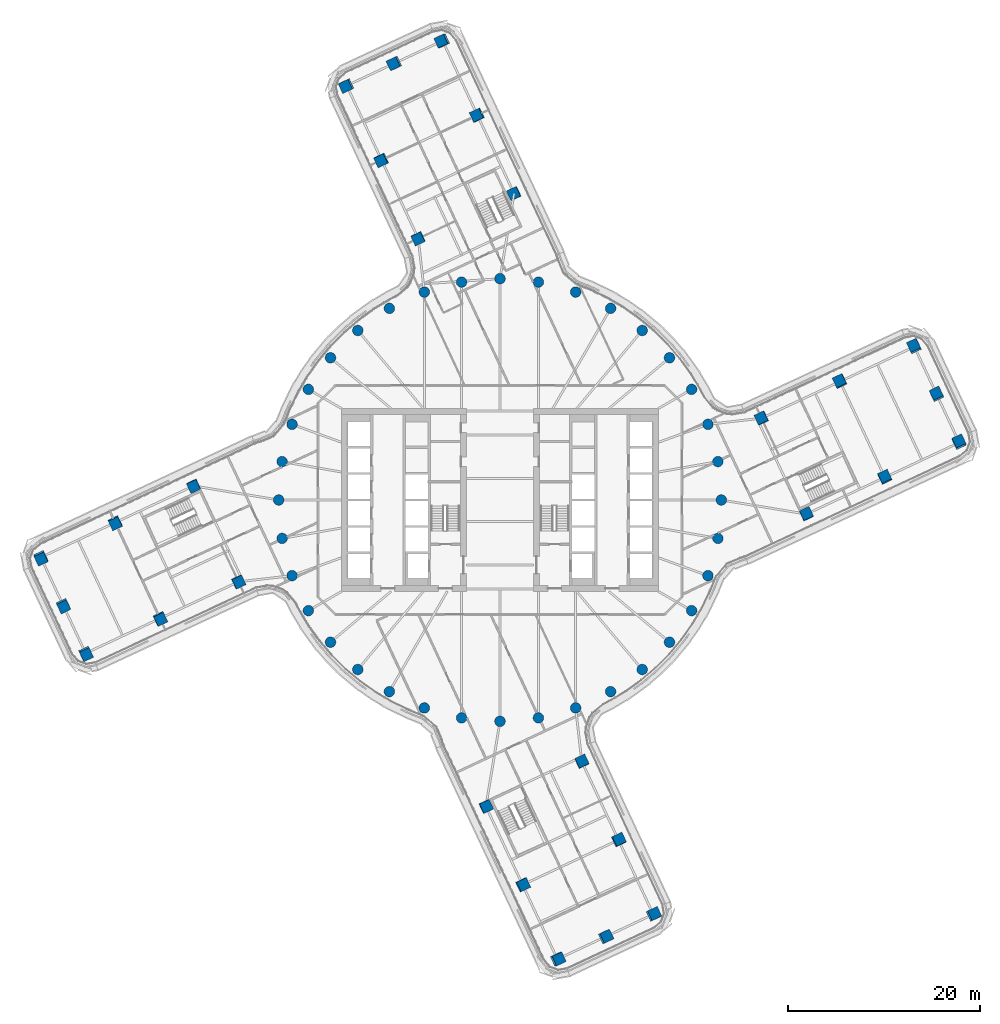
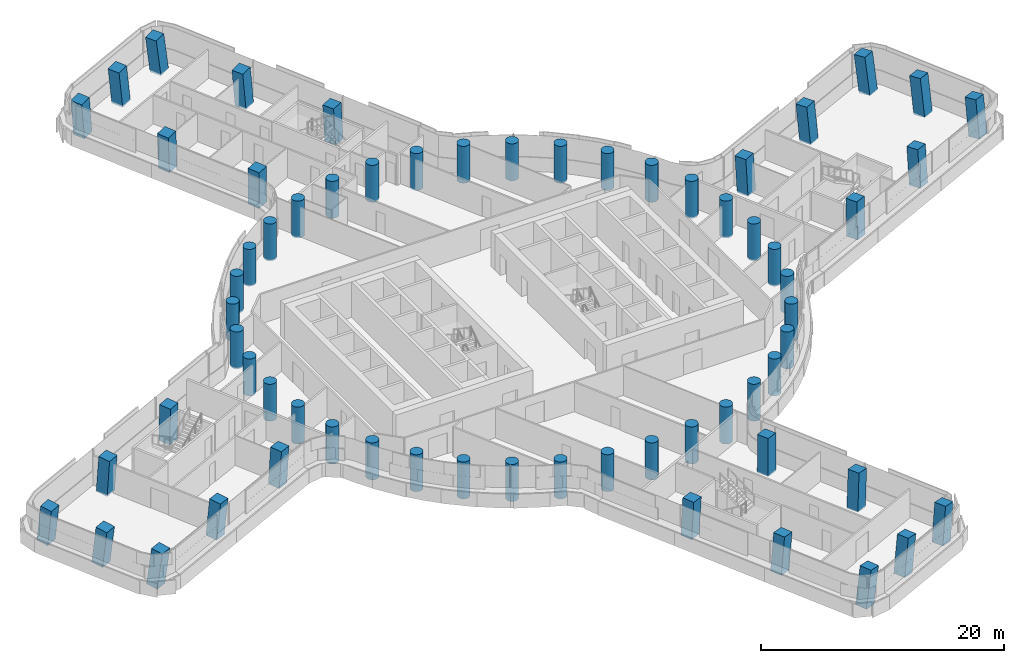
# One storey, part 1 of 36: 64 columns.
"""IFC4 building model written with IfcOpenShell, lengths in metres."""

import ifcopenshell
import ifcopenshell.guid

model = None  # the IFC model being written
_history = None  # IfcOwnerHistory: only IFC2X3 demands one
_inside = {}  # id of a spatial element -> (the spatial element, [elements in it])
_under = {}  # id of a project, library or spatial element -> (it, [spatial elements below it])
_declared = {}  # id of a project -> (the project, [libraries it declares])
_typed = {}  # id of a type object -> (the type object, [elements of that type])
_made_of = {}  # id of a material, layer set ... -> (it, [elements and type objects made of it])


def new_model(schema):
    """Start an empty IFC model of exactly this schema.

    Asked for "IFC4X3", IfcOpenShell would pick the latest addendum, in which some entities
    have other attributes; the version numbers below select the first issue.
    IFC2X3 requires an IfcOwnerHistory on every rooted entity: one is made here for all.
    """
    global model, _history
    if schema == "IFC4X3":
        model = ifcopenshell.file(schema_version=(4, 3, 0, 0))
    else:
        model = ifcopenshell.file(schema=schema)
    _inside.clear()
    _under.clear()
    _declared.clear()
    _typed.clear()
    _made_of.clear()
    _history = None
    if model.schema == "IFC2X3":
        org = make("IfcOrganization", Name="unknown")
        user = make(
            "IfcPersonAndOrganization",
            ThePerson=make("IfcPerson", FamilyName="unknown"),
            TheOrganization=org,
        )
        app = make(
            "IfcApplication",
            ApplicationDeveloper=org,
            Version="unknown",
            ApplicationFullName="unknown",
            ApplicationIdentifier="unknown",
        )
        _history = make(
            "IfcOwnerHistory",
            OwningUser=user,
            OwningApplication=app,
            ChangeAction="ADDED",
            CreationDate=0,
        )
    return model


def make(cls, **values):
    """One entity of the class cls with the attributes given. An attribute that is None is left unset."""
    return model.create_entity(
        cls, **{name: value for name, value in values.items() if value is not None}
    )


def rooted(cls, **values):
    """An entity with a GlobalId (a new one), such as an element, a storey or a relation."""
    return make(cls, GlobalId=ifcopenshell.guid.new(), OwnerHistory=_history, **values)


def si_unit(unit_type, name, prefix=None):
    """IfcSIUnit, for example si_unit("LENGTHUNIT", "METRE", prefix="MILLI")."""
    return make("IfcSIUnit", UnitType=unit_type, Prefix=prefix, Name=name)


def assignment(units):
    """IfcUnitAssignment: the units of a project."""
    return None if units is None else make("IfcUnitAssignment", Units=units)


def point(xyz):
    """IfcCartesianPoint."""
    return None if xyz is None else make("IfcCartesianPoint", Coordinates=xyz)


def direction(xyz):
    """IfcDirection."""
    return None if xyz is None else make("IfcDirection", DirectionRatios=xyz)


def frame(location, z_axis=None, x_axis=None):
    """IfcAxis2Placement3D, a coordinate frame: its origin and axes. An axis left out is left unset."""
    return make(
        "IfcAxis2Placement3D",
        Location=point(location),
        Axis=direction(z_axis),
        RefDirection=direction(x_axis),
    )


def frame_2d(location, x_axis=None):
    """IfcAxis2Placement2D, a coordinate frame in the plane: its origin and x axis."""
    return make(
        "IfcAxis2Placement2D", Location=point(location), RefDirection=direction(x_axis)
    )


def origin():
    """The frame at (0, 0, 0) with its axes left unset."""
    return frame((0.0, 0.0, 0.0))


def origin_2d():
    """The frame at (0, 0) in the plane with its x axis left unset."""
    return frame_2d((0.0, 0.0))


def place(relative_to, where):
    """IfcLocalPlacement: puts the frame where relative to a parent placement (None: the world)."""
    return make(
        "IfcLocalPlacement", PlacementRelTo=relative_to, RelativePlacement=where
    )


def context(
    kind, dimensions, precision=None, world=None, true_north=None, identifier=None
):
    """IfcGeometricRepresentationContext, for example the 3D "Model" context."""
    return make(
        "IfcGeometricRepresentationContext",
        ContextIdentifier=identifier,
        ContextType=kind,
        CoordinateSpaceDimension=dimensions,
        Precision=precision,
        WorldCoordinateSystem=world,
        TrueNorth=true_north,
    )


def subcontext(parent, identifier, kind, view, scale=None):
    """IfcGeometricRepresentationSubContext, for example "Body" below "Model"."""
    return make(
        "IfcGeometricRepresentationSubContext",
        ContextIdentifier=identifier,
        ContextType=kind,
        ParentContext=parent,
        TargetScale=scale,
        TargetView=view,
    )


def project(units=None, contexts=None):
    """IfcProject with its units and contexts."""
    return rooted(
        "IfcProject",
        Name="project",
        RepresentationContexts=contexts,
        UnitsInContext=assignment(units),
    )


def spatial(cls, under=None, at=None, **own):
    """A site, building, storey or space (cls), placed at a placement, below another one or the project."""
    s = rooted(cls, ObjectPlacement=at, **own)
    if under is not None:
        _under.setdefault(under.id(), (under, []))[1].append(s)
    return s


def profile(cls, at=None, kind="AREA", **sizes):
    """A parametric profile (cls). Its sizes go by their IFC names, for example OverallWidth=200.0."""
    return make(cls, ProfileType=kind, Position=at, **sizes)


def rectangle(**sizes):
    """IfcRectangleProfileDef."""
    return profile("IfcRectangleProfileDef", **sizes)


def circle(**sizes):
    """IfcCircleProfileDef."""
    return profile("IfcCircleProfileDef", **sizes)


def extrude(swept, where, along, depth):
    """IfcExtrudedAreaSolid: the profile swept, set in the frame where, extruded along a direction by depth."""
    return make(
        "IfcExtrudedAreaSolid",
        SweptArea=swept,
        Position=where,
        ExtrudedDirection=direction(along),
        Depth=depth,
    )


def shape(context_of_items, identifier, shape_type, items):
    """IfcShapeRepresentation: the items that make up one representation, for example the "Body"."""
    return make(
        "IfcShapeRepresentation",
        ContextOfItems=context_of_items,
        RepresentationIdentifier=identifier,
        RepresentationType=shape_type,
        Items=items,
    )


def material(Name=None, Category=None):
    """IfcMaterial."""
    return make("IfcMaterial", Name=Name, Category=Category)


def material_profile(
    of_material, cross_section, Name=None, Category=None, Priority=None
):
    """IfcMaterialProfile: a cross section and its material."""
    return make(
        "IfcMaterialProfile",
        Name=Name,
        Material=of_material,
        Profile=cross_section,
        Priority=Priority,
        Category=Category,
    )


def profile_set(profiles, Name=None, composite=None):
    """IfcMaterialProfileSet."""
    return make(
        "IfcMaterialProfileSet",
        Name=Name,
        MaterialProfiles=profiles,
        CompositeProfile=composite,
    )


def made_of(thing, what):
    """Note that an element or type object is made of a material, layer set ...; save() writes the relation."""
    if what is not None:
        _made_of.setdefault(what.id(), (what, []))[1].append(thing)
    return thing


def type_object(cls, material=None, **own):
    """A type object (cls), such as IfcWallType, which elements share."""
    return made_of(rooted(cls, **own), material)


def element(
    cls,
    number,
    at=None,
    inside=None,
    cuts=None,
    type_object=None,
    material=None,
    context=None,
    identifier="Body",
    shape_type=None,
    held_by="IfcProductDefinitionShape",
    body=None,
    shapes=None,
    **own,
):
    """One element of the class cls, such as IfcWall. Its Tag is "e" and its number.

    at: its placement. inside: the storey or other place that contains it. cuts: it is an
    opening in that element (IfcRelVoidsElement). A single representation is given by context,
    identifier, shape_type and body (its items); several are given by shapes. held_by: the class
    of the entity that holds the representations. save() writes the other relations.
    """
    e = rooted(cls, Tag="e%d" % number, ObjectPlacement=at, **own)
    if body is not None:
        shapes = [shape(context, identifier, shape_type, body)]
    if shapes is not None:
        e.Representation = make(held_by, Representations=shapes)
    if inside is not None:
        _inside.setdefault(inside.id(), (inside, []))[1].append(e)
    if cuts is not None:
        rooted(
            "IfcRelVoidsElement", RelatingBuildingElement=cuts, RelatedOpeningElement=e
        )
    if type_object is not None:
        _typed.setdefault(type_object.id(), (type_object, []))[1].append(e)
    return made_of(e, material)


def aggregate(whole, parts):
    """IfcRelAggregates: a whole, such as a stair, and the parts it consists of."""
    return rooted("IfcRelAggregates", RelatingObject=whole, RelatedObjects=parts)


def save(model, path):
    """Write the relations noted so far, then the file.

    IfcRelAggregates (storeys below a building ...), IfcRelContainedInSpatialStructure (elements
    in a storey), IfcRelDefinesByType, IfcRelAssociatesMaterial and IfcRelDeclares: one each for
    every whole, place, type object, material and project.
    """
    for whole, parts in _under.values():
        aggregate(whole, parts)
    for where, things in _inside.values():
        rooted(
            "IfcRelContainedInSpatialStructure",
            RelatedElements=things,
            RelatingStructure=where,
        )
    for kind, things in _typed.values():
        rooted("IfcRelDefinesByType", RelatedObjects=things, RelatingType=kind)
    for what, things in _made_of.values():
        rooted("IfcRelAssociatesMaterial", RelatedObjects=things, RelatingMaterial=what)
    for by, libraries in _declared.values():
        rooted("IfcRelDeclares", RelatingContext=by, RelatedDefinitions=libraries)
    model.write(path)


model = new_model("IFC4")

# Units and contexts
model_context = context("Model", 3, precision=1e-05, world=origin(), true_north=direction((0.0, 1.0)))
body_context = subcontext(model_context, "Body", "Model", "MODEL_VIEW")
ifc_project = project(units=[si_unit("LENGTHUNIT", "METRE"), si_unit("AREAUNIT", "SQUARE_METRE"), si_unit("VOLUMEUNIT", "CUBIC_METRE"), si_unit("PLANEANGLEUNIT", "RADIAN"), si_unit("MASSUNIT", "GRAM", prefix="KILO")], contexts=[model_context])

# Site, building, storey
site_placement = place(None, origin())
site = spatial("IfcSite", under=ifc_project, at=site_placement, CompositionType="ELEMENT")
building_placement = place(site_placement, origin())
building = spatial("IfcBuilding", under=site, at=building_placement, Name="Tamarind Cross Interchange Tower", CompositionType="ELEMENT")
storey_placement = place(building_placement, frame((0.0, 0.0, 124.75)))
storey = spatial("IfcBuildingStorey", under=building, at=storey_placement, Name="L30", CompositionType="ELEMENT", Elevation=124.75)

# Columns
ifc_material = material(Name="Concrete C65", Category="concrete")
ifc_material_profile_1 = material_profile(ifc_material, rectangle(XDim=1.10009765625, YDim=1.10009765625, at=origin_2d()), Name="RC 1100x1100")
ifc_profile_set_1 = profile_set([ifc_material_profile_1], Name="Concrete C65")
column_type_1 = type_object("IfcColumnType", Name="Column RC 1100x1100 Concrete C65", PredefinedType="COLUMN", material=ifc_profile_set_1)
column_1_placement = place(storey_placement, frame((35.33837890625, 12.313720703125, -0.138427734375), z_axis=(-0.060824433029, 0.064699855868, 0.9960493547), x_axis=(0.421197702581, -0.903035286049, 0.084378714676)))
element("IfcColumn", 1, at=column_1_placement, inside=storey, type_object=column_type_1, Name="Column L30-036", PredefinedType="COLUMN", context=body_context, shape_type="SweptSolid", body=[
    extrude(rectangle(XDim=1.10009765625, YDim=1.10009765625, at=origin_2d()), origin(), (0.0, 0.0, 1.0), 3.716796875),
])
column_2_placement = place(storey_placement, frame((40.00048828125, 2.350341796875, -0.13818359375), z_axis=(-0.012351142794, 0.088034741194, 0.996040829291), x_axis=(-0.905727436668, -0.423052547946, 0.026160125068)))
element("IfcColumn", 2, at=column_2_placement, inside=storey, type_object=column_type_1, Name="Column L30-037", PredefinedType="COLUMN", context=body_context, shape_type="SweptSolid", body=[
    extrude(rectangle(XDim=1.10009765625, YDim=1.10009765625, at=origin_2d()), origin(), (0.0, 0.0, 1.0), 3.716064453125),
])
column_3_placement = place(storey_placement, frame((27.186767578125, 8.499267578125, -0.138671875), z_axis=(-0.041932325564, 0.025080401947, 0.998805613476), x_axis=(0.422762183328, -0.905336041768, 0.040481944421)))
element("IfcColumn", 3, at=column_3_placement, inside=storey, type_object=column_type_1, Name="Column L30-038", PredefinedType="COLUMN", context=body_context, shape_type="SweptSolid", body=[
    extrude(rectangle(XDim=1.10009765625, YDim=1.10009765625, at=origin_2d()), origin(), (0.0, 0.0, 1.0), 3.708740234375),
])
column_4_placement = place(storey_placement, frame((31.8486328125, -1.4638671875, -0.138671875), z_axis=(0.00678071338, 0.048386644022, 0.998805664084), x_axis=(-0.905990074096, -0.422461295082, 0.026616532396)))
element("IfcColumn", 4, at=column_4_placement, inside=storey, type_object=column_type_1, Name="Column L30-039", PredefinedType="COLUMN", context=body_context, shape_type="SweptSolid", body=[
    extrude(rectangle(XDim=1.10009765625, YDim=1.10009765625, at=origin_2d()), origin(), (0.0, 0.0, 1.0), 3.70849609375),
])
column_5_placement = place(storey_placement, frame((47.72998046875, 5.967041015625, -0.13818359375), z_axis=(-0.019038669148, 0.130588259864, 0.991253870339), x_axis=(-0.905941901453, -0.421679598548, 0.038152160609)))
element("IfcColumn", 5, at=column_5_placement, inside=storey, type_object=column_type_1, Name="Column L30-040", PredefinedType="COLUMN", context=body_context, shape_type="SweptSolid", body=[
    extrude(rectangle(XDim=1.10009765625, YDim=1.10009765625, at=origin_2d()), origin(), (0.0, 0.0, 1.0), 3.731689453125),
])
column_6_placement = place(storey_placement, frame((45.39892578125, 10.94873046875, -0.13818359375), z_axis=(-0.043196128411, 0.119116596528, 0.991940185153), x_axis=(-0.905970442825, -0.423188341029, 0.011365946715)))
element("IfcColumn", 6, at=column_6_placement, inside=storey, type_object=column_type_1, Name="Column L30-041", PredefinedType="COLUMN", context=body_context, shape_type="SweptSolid", body=[
    extrude(rectangle(XDim=1.10009765625, YDim=1.10009765625, at=origin_2d()), origin(), (0.0, 0.0, 1.0), 3.730224609375),
])
column_7_placement = place(storey_placement, frame((43.06787109375, 15.930419921875, -0.138427734375), z_axis=(-0.067336464177, 0.107515850964, 0.991920431478), x_axis=(0.419376139534, -0.899037513011, 0.125917448308)))
element("IfcColumn", 7, at=column_7_placement, inside=storey, type_object=column_type_1, Name="Column L30-042", PredefinedType="COLUMN", context=body_context, shape_type="SweptSolid", body=[
    extrude(rectangle(XDim=1.10009765625, YDim=1.10009765625, at=origin_2d()), origin(), (0.0, 0.0, 1.0), 3.730712890625),
])
column_8_placement = place(storey_placement, frame((-12.313720703125, 35.33837890625, -0.138427734375), z_axis=(-0.064699855868, -0.060824433029, 0.9960493547), x_axis=(0.903035286049, 0.421197702581, 0.084378714676)))
element("IfcColumn", 8, at=column_8_placement, inside=storey, type_object=column_type_1, Name="Column L30-043", PredefinedType="COLUMN", context=body_context, shape_type="SweptSolid", body=[
    extrude(rectangle(XDim=1.10009765625, YDim=1.10009765625, at=origin_2d()), origin(), (0.0, 0.0, 1.0), 3.716796875),
])
column_9_placement = place(storey_placement, frame((-2.350341796875, 40.00048828125, -0.13818359375), z_axis=(-0.088034741194, -0.012351142794, 0.996040829291), x_axis=(0.423052547946, -0.905727436668, 0.026160125068)))
element("IfcColumn", 9, at=column_9_placement, inside=storey, type_object=column_type_1, Name="Column L30-044", PredefinedType="COLUMN", context=body_context, shape_type="SweptSolid", body=[
    extrude(rectangle(XDim=1.10009765625, YDim=1.10009765625, at=origin_2d()), origin(), (0.0, 0.0, 1.0), 3.716064453125),
])
column_10_placement = place(storey_placement, frame((-8.499267578125, 27.186767578125, -0.138671875), z_axis=(-0.025080401947, -0.041932325564, 0.998805613476), x_axis=(0.905336041768, 0.422762183328, 0.040481944421)))
element("IfcColumn", 10, at=column_10_placement, inside=storey, type_object=column_type_1, Name="Column L30-045", PredefinedType="COLUMN", context=body_context, shape_type="SweptSolid", body=[
    extrude(rectangle(XDim=1.10009765625, YDim=1.10009765625, at=origin_2d()), origin(), (0.0, 0.0, 1.0), 3.708740234375),
])
column_11_placement = place(storey_placement, frame((1.4638671875, 31.8486328125, -0.138671875), z_axis=(-0.048386644022, 0.00678071338, 0.998805664084), x_axis=(0.422461295082, -0.905990074096, 0.026616532396)))
element("IfcColumn", 11, at=column_11_placement, inside=storey, type_object=column_type_1, Name="Column L30-046", PredefinedType="COLUMN", context=body_context, shape_type="SweptSolid", body=[
    extrude(rectangle(XDim=1.10009765625, YDim=1.10009765625, at=origin_2d()), origin(), (0.0, 0.0, 1.0), 3.70849609375),
])
column_12_placement = place(storey_placement, frame((-5.967041015625, 47.72998046875, -0.13818359375), z_axis=(-0.130588259864, -0.019038669148, 0.991253870339), x_axis=(0.421679598548, -0.905941901453, 0.038152160609)))
element("IfcColumn", 12, at=column_12_placement, inside=storey, type_object=column_type_1, Name="Column L30-047", PredefinedType="COLUMN", context=body_context, shape_type="SweptSolid", body=[
    extrude(rectangle(XDim=1.10009765625, YDim=1.10009765625, at=origin_2d()), origin(), (0.0, 0.0, 1.0), 3.731689453125),
])
column_13_placement = place(storey_placement, frame((-10.94873046875, 45.39892578125, -0.13818359375), z_axis=(-0.119116596528, -0.043196128411, 0.991940185153), x_axis=(0.423188341029, -0.905970442825, 0.011365946715)))
element("IfcColumn", 13, at=column_13_placement, inside=storey, type_object=column_type_1, Name="Column L30-048", PredefinedType="COLUMN", context=body_context, shape_type="SweptSolid", body=[
    extrude(rectangle(XDim=1.10009765625, YDim=1.10009765625, at=origin_2d()), origin(), (0.0, 0.0, 1.0), 3.730224609375),
])
column_14_placement = place(storey_placement, frame((-15.930419921875, 43.06787109375, -0.138427734375), z_axis=(-0.107515850964, -0.067336464177, 0.991920431478), x_axis=(0.899037513011, 0.419376139534, 0.125917448308)))
element("IfcColumn", 14, at=column_14_placement, inside=storey, type_object=column_type_1, Name="Column L30-049", PredefinedType="COLUMN", context=body_context, shape_type="SweptSolid", body=[
    extrude(rectangle(XDim=1.10009765625, YDim=1.10009765625, at=origin_2d()), origin(), (0.0, 0.0, 1.0), 3.730712890625),
])
column_15_placement = place(storey_placement, frame((-35.33837890625, -12.313720703125, -0.138427734375), z_axis=(0.060824433029, -0.064699855868, 0.9960493547), x_axis=(-0.421197702581, 0.903035286049, 0.084378714676)))
element("IfcColumn", 15, at=column_15_placement, inside=storey, type_object=column_type_1, Name="Column L30-050", PredefinedType="COLUMN", context=body_context, shape_type="SweptSolid", body=[
    extrude(rectangle(XDim=1.10009765625, YDim=1.10009765625, at=origin_2d()), origin(), (0.0, 0.0, 1.0), 3.716796875),
])
column_16_placement = place(storey_placement, frame((-40.00048828125, -2.350341796875, -0.13818359375), z_axis=(0.012351142794, -0.088034741194, 0.996040829291), x_axis=(0.905727436668, 0.423052547946, 0.026160125068)))
element("IfcColumn", 16, at=column_16_placement, inside=storey, type_object=column_type_1, Name="Column L30-051", PredefinedType="COLUMN", context=body_context, shape_type="SweptSolid", body=[
    extrude(rectangle(XDim=1.10009765625, YDim=1.10009765625, at=origin_2d()), origin(), (0.0, 0.0, 1.0), 3.716064453125),
])
column_17_placement = place(storey_placement, frame((-27.186767578125, -8.499267578125, -0.138671875), z_axis=(0.041932325564, -0.025080401947, 0.998805613476), x_axis=(-0.422762183328, 0.905336041768, 0.040481944421)))
element("IfcColumn", 17, at=column_17_placement, inside=storey, type_object=column_type_1, Name="Column L30-052", PredefinedType="COLUMN", context=body_context, shape_type="SweptSolid", body=[
    extrude(rectangle(XDim=1.10009765625, YDim=1.10009765625, at=origin_2d()), origin(), (0.0, 0.0, 1.0), 3.708740234375),
])
column_18_placement = place(storey_placement, frame((-31.8486328125, 1.4638671875, -0.138671875), z_axis=(-0.00678071338, -0.048386644022, 0.998805664084), x_axis=(0.905990074096, 0.422461295082, 0.026616532396)))
element("IfcColumn", 18, at=column_18_placement, inside=storey, type_object=column_type_1, Name="Column L30-053", PredefinedType="COLUMN", context=body_context, shape_type="SweptSolid", body=[
    extrude(rectangle(XDim=1.10009765625, YDim=1.10009765625, at=origin_2d()), origin(), (0.0, 0.0, 1.0), 3.70849609375),
])
column_19_placement = place(storey_placement, frame((-47.72998046875, -5.967041015625, -0.13818359375), z_axis=(0.019038669148, -0.130588259864, 0.991253870339), x_axis=(0.905941901453, 0.421679598548, 0.038152160609)))
element("IfcColumn", 19, at=column_19_placement, inside=storey, type_object=column_type_1, Name="Column L30-054", PredefinedType="COLUMN", context=body_context, shape_type="SweptSolid", body=[
    extrude(rectangle(XDim=1.10009765625, YDim=1.10009765625, at=origin_2d()), origin(), (0.0, 0.0, 1.0), 3.731689453125),
])
column_20_placement = place(storey_placement, frame((-45.39892578125, -10.94873046875, -0.13818359375), z_axis=(0.043196128411, -0.119116596528, 0.991940185153), x_axis=(0.905970442825, 0.423188341029, 0.011365946715)))
element("IfcColumn", 20, at=column_20_placement, inside=storey, type_object=column_type_1, Name="Column L30-055", PredefinedType="COLUMN", context=body_context, shape_type="SweptSolid", body=[
    extrude(rectangle(XDim=1.10009765625, YDim=1.10009765625, at=origin_2d()), origin(), (0.0, 0.0, 1.0), 3.730224609375),
])
column_21_placement = place(storey_placement, frame((-43.06787109375, -15.930419921875, -0.138427734375), z_axis=(0.067336464177, -0.107515850964, 0.991920431478), x_axis=(-0.419376139534, 0.899037513011, 0.125917448308)))
element("IfcColumn", 21, at=column_21_placement, inside=storey, type_object=column_type_1, Name="Column L30-056", PredefinedType="COLUMN", context=body_context, shape_type="SweptSolid", body=[
    extrude(rectangle(XDim=1.10009765625, YDim=1.10009765625, at=origin_2d()), origin(), (0.0, 0.0, 1.0), 3.730712890625),
])
column_22_placement = place(storey_placement, frame((12.313720703125, -35.33837890625, -0.138427734375), z_axis=(0.064699855868, 0.060824433029, 0.9960493547), x_axis=(-0.903035286049, -0.421197702581, 0.084378714676)))
element("IfcColumn", 22, at=column_22_placement, inside=storey, type_object=column_type_1, Name="Column L30-057", PredefinedType="COLUMN", context=body_context, shape_type="SweptSolid", body=[
    extrude(rectangle(XDim=1.10009765625, YDim=1.10009765625, at=origin_2d()), origin(), (0.0, 0.0, 1.0), 3.716796875),
])
column_23_placement = place(storey_placement, frame((2.350341796875, -40.00048828125, -0.13818359375), z_axis=(0.088034741194, 0.012351142794, 0.996040829291), x_axis=(-0.423052547946, 0.905727436668, 0.026160125068)))
element("IfcColumn", 23, at=column_23_placement, inside=storey, type_object=column_type_1, Name="Column L30-058", PredefinedType="COLUMN", context=body_context, shape_type="SweptSolid", body=[
    extrude(rectangle(XDim=1.10009765625, YDim=1.10009765625, at=origin_2d()), origin(), (0.0, 0.0, 1.0), 3.716064453125),
])
column_24_placement = place(storey_placement, frame((8.499267578125, -27.186767578125, -0.138671875), z_axis=(0.025080401947, 0.041932325564, 0.998805613476), x_axis=(-0.905336041768, -0.422762183328, 0.040481944421)))
element("IfcColumn", 24, at=column_24_placement, inside=storey, type_object=column_type_1, Name="Column L30-059", PredefinedType="COLUMN", context=body_context, shape_type="SweptSolid", body=[
    extrude(rectangle(XDim=1.10009765625, YDim=1.10009765625, at=origin_2d()), origin(), (0.0, 0.0, 1.0), 3.708740234375),
])
column_25_placement = place(storey_placement, frame((-1.4638671875, -31.8486328125, -0.138671875), z_axis=(0.048386644022, -0.00678071338, 0.998805664084), x_axis=(-0.422461295082, 0.905990074096, 0.026616532396)))
element("IfcColumn", 25, at=column_25_placement, inside=storey, type_object=column_type_1, Name="Column L30-060", PredefinedType="COLUMN", context=body_context, shape_type="SweptSolid", body=[
    extrude(rectangle(XDim=1.10009765625, YDim=1.10009765625, at=origin_2d()), origin(), (0.0, 0.0, 1.0), 3.70849609375),
])
column_26_placement = place(storey_placement, frame((5.967041015625, -47.72998046875, -0.13818359375), z_axis=(0.130588259864, 0.019038669148, 0.991253870339), x_axis=(-0.421679598548, 0.905941901453, 0.038152160609)))
element("IfcColumn", 26, at=column_26_placement, inside=storey, type_object=column_type_1, Name="Column L30-061", PredefinedType="COLUMN", context=body_context, shape_type="SweptSolid", body=[
    extrude(rectangle(XDim=1.10009765625, YDim=1.10009765625, at=origin_2d()), origin(), (0.0, 0.0, 1.0), 3.731689453125),
])
column_27_placement = place(storey_placement, frame((10.94873046875, -45.39892578125, -0.13818359375), z_axis=(0.119116596528, 0.043196128411, 0.991940185153), x_axis=(-0.423188341029, 0.905970442825, 0.011365946715)))
element("IfcColumn", 27, at=column_27_placement, inside=storey, type_object=column_type_1, Name="Column L30-062", PredefinedType="COLUMN", context=body_context, shape_type="SweptSolid", body=[
    extrude(rectangle(XDim=1.10009765625, YDim=1.10009765625, at=origin_2d()), origin(), (0.0, 0.0, 1.0), 3.730224609375),
])
column_28_placement = place(storey_placement, frame((15.930419921875, -43.06787109375, -0.138427734375), z_axis=(0.107515850964, 0.067336464177, 0.991920431478), x_axis=(-0.899037513011, -0.419376139534, 0.125917448308)))
element("IfcColumn", 28, at=column_28_placement, inside=storey, type_object=column_type_1, Name="Column L30-063", PredefinedType="COLUMN", context=body_context, shape_type="SweptSolid", body=[
    extrude(rectangle(XDim=1.10009765625, YDim=1.10009765625, at=origin_2d()), origin(), (0.0, 0.0, 1.0), 3.730712890625),
])
ifc_material_profile_2 = material_profile(ifc_material, circle(Radius=0.550048828125, at=origin_2d()), Name="RC D1100")
ifc_profile_set_2 = profile_set([ifc_material_profile_2], Name="Concrete C65")
column_type_2 = type_object("IfcColumnType", Name="Column RC D1100 Concrete C65", PredefinedType="COLUMN", material=ifc_profile_set_2)
for number, where, z_axis, x_axis, name in (
    (29, (23.0, 0.0, -0.139892578125), (0.0, 0.0, 1.0), (1.0, 0.0, 0.0), "Column L30-000"),
    (30, (22.650634765625, 3.993896484375, -0.139892578125), (0.0, 0.0, 1.0), (1.0, 0.0, 0.0), "Column L30-001"),
    (31, (21.613037109375, 7.866455078125, -0.139892578125), (0.0, 0.0, 1.0), (1.0, 0.0, 0.0), "Column L30-002"),
    (32, (19.918701171875, 11.5, -0.139892578125), (0.0, 0.0, 1.0), (1.0, 0.0, 0.0), "Column L30-003"),
    (33, (17.619140625, 14.7841796875, -0.139892578125), (0.0, 0.0, 1.0), (1.0, 0.0, 0.0), "Column L30-004"),
    (34, (14.7841796875, 17.619140625, -0.139892578125), (0.0, 0.0, 1.0), (1.0, 0.0, 0.0), "Column L30-005"),
    (35, (11.5, 19.918701171875, -0.139892578125), (0.0, 0.0, 1.0), (1.0, 0.0, 0.0), "Column L30-006"),
    (36, (7.866455078125, 21.613037109375, -0.139892578125), (0.0, 0.0, 1.0), (1.0, 0.0, 0.0), "Column L30-007"),
    (37, (3.993896484375, 22.650634765625, -0.139892578125), (0.0, 0.0, 1.0), (1.0, 0.0, 0.0), "Column L30-008"),
    (38, (0.0, 23.0, -0.139892578125), (0.0, 0.0, 1.0), (1.0, 0.0, 0.0), "Column L30-009"),
    (39, (-3.993896484375, 22.650634765625, -0.139892578125), (0.0, 0.0, 1.0), (1.0, 0.0, 0.0), "Column L30-010"),
    (40, (-7.866455078125, 21.613037109375, -0.139892578125), (0.0, 0.0, 1.0), (1.0, 0.0, 0.0), "Column L30-011"),
    (41, (-11.5, 19.918701171875, -0.139892578125), (0.0, 0.0, 1.0), (1.0, 0.0, 0.0), "Column L30-012"),
    (42, (-14.7841796875, 17.619140625, -0.139892578125), (0.0, 0.0, 1.0), (1.0, 0.0, 0.0), "Column L30-013"),
    (43, (-17.619140625, 14.7841796875, -0.139892578125), (0.0, 0.0, 1.0), (1.0, 0.0, 0.0), "Column L30-014"),
    (44, (-19.918701171875, 11.5, -0.139892578125), (0.0, 0.0, 1.0), (1.0, 0.0, 0.0), "Column L30-015"),
    (45, (-21.613037109375, 7.866455078125, -0.139892578125), (0.0, 0.0, 1.0), (1.0, 0.0, 0.0), "Column L30-016"),
    (46, (-22.650634765625, 3.993896484375, -0.139892578125), (0.0, 0.0, 1.0), (1.0, 0.0, 0.0), "Column L30-017"),
    (47, (-23.0, 0.0, -0.139892578125), (0.0, 0.0, 1.0), (1.0, 0.0, 0.0), "Column L30-018"),
    (48, (-22.650634765625, -3.993896484375, -0.139892578125), (0.0, 0.0, 1.0), (1.0, 0.0, 0.0), "Column L30-019"),
    (49, (-21.613037109375, -7.866455078125, -0.139892578125), (0.0, 0.0, 1.0), (1.0, 0.0, 0.0), "Column L30-020"),
    (50, (-19.918701171875, -11.5, -0.139892578125), (0.0, 0.0, 1.0), (1.0, 0.0, 0.0), "Column L30-021"),
    (51, (-17.619140625, -14.7841796875, -0.139892578125), (0.0, 0.0, 1.0), (1.0, 0.0, 0.0), "Column L30-022"),
    (52, (-14.7841796875, -17.619140625, -0.139892578125), (0.0, 0.0, 1.0), (1.0, 0.0, 0.0), "Column L30-023"),
    (53, (-11.5, -19.918701171875, -0.139892578125), (0.0, 0.0, 1.0), (1.0, 0.0, 0.0), "Column L30-024"),
    (54, (-7.866455078125, -21.613037109375, -0.139892578125), (0.0, 0.0, 1.0), (1.0, 0.0, 0.0), "Column L30-025"),
    (55, (-3.993896484375, -22.650634765625, -0.139892578125), (0.0, 0.0, 1.0), (1.0, 0.0, 0.0), "Column L30-026"),
    (56, (0.0, -23.0, -0.139892578125), (0.0, 0.0, 1.0), (1.0, 0.0, 0.0), "Column L30-027"),
    (57, (3.993896484375, -22.650634765625, -0.139892578125), (0.0, 0.0, 1.0), (1.0, 0.0, 0.0), "Column L30-028"),
    (58, (7.866455078125, -21.613037109375, -0.139892578125), (0.0, 0.0, 1.0), (1.0, 0.0, 0.0), "Column L30-029"),
    (59, (11.5, -19.918701171875, -0.139892578125), (0.0, 0.0, 1.0), (1.0, 0.0, 0.0), "Column L30-030"),
    (60, (14.7841796875, -17.619140625, -0.139892578125), (0.0, 0.0, 1.0), (1.0, 0.0, 0.0), "Column L30-031"),
    (61, (17.619140625, -14.7841796875, -0.139892578125), (0.0, 0.0, 1.0), (1.0, 0.0, 0.0), "Column L30-032"),
    (62, (19.918701171875, -11.5, -0.139892578125), (0.0, 0.0, 1.0), (1.0, 0.0, 0.0), "Column L30-033"),
    (63, (21.613037109375, -7.866455078125, -0.139892578125), (0.0, 0.0, 1.0), (1.0, 0.0, 0.0), "Column L30-034"),
    (64, (22.650634765625, -3.993896484375, -0.139892578125), (0.0, 0.0, 1.0), (1.0, 0.0, 0.0), "Column L30-035"),
):
    element("IfcColumn", number, at=place(storey_placement, frame(where, z_axis=z_axis, x_axis=x_axis)), inside=storey, type_object=column_type_2, Name=name, PredefinedType="COLUMN", context=body_context, shape_type="SweptSolid", body=[
        extrude(circle(Radius=0.550048828125, at=origin_2d()), origin(), (0.0, 0.0, 1.0), 3.7099609375),
    ])

save(model, "model.ifc")
